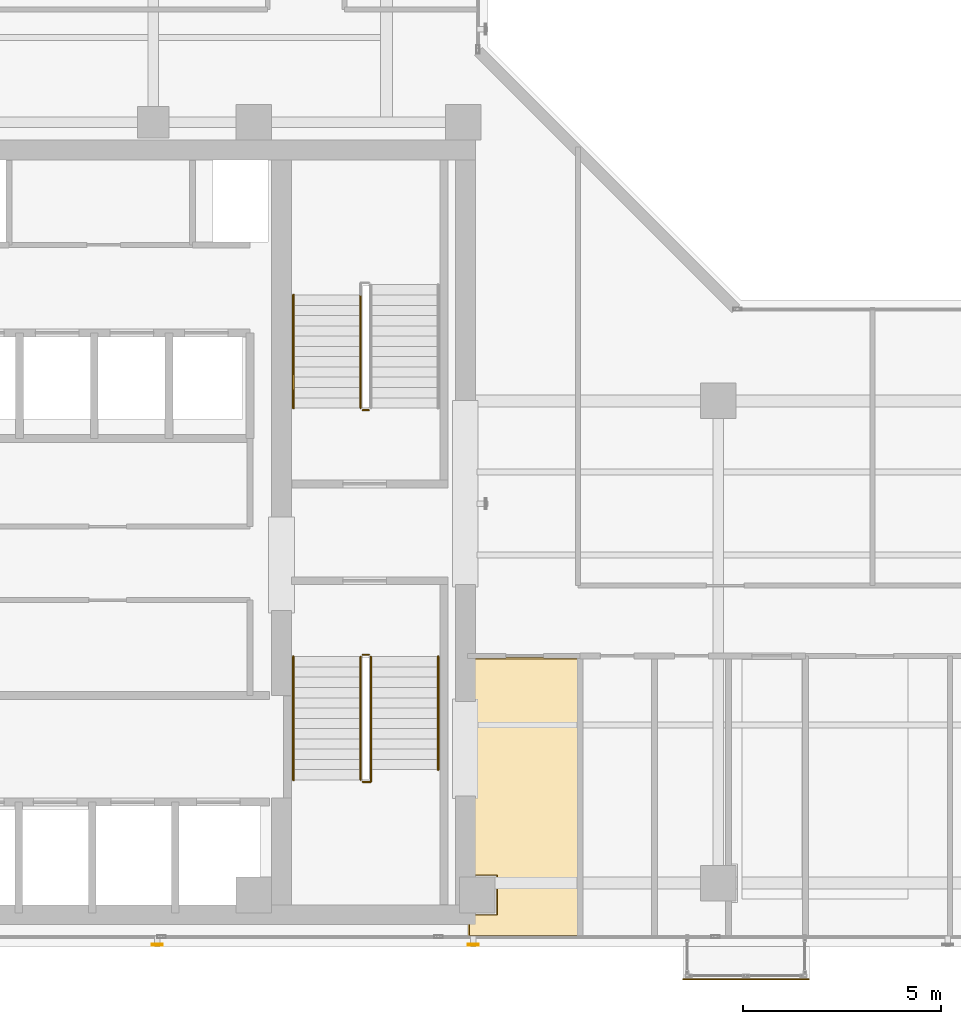
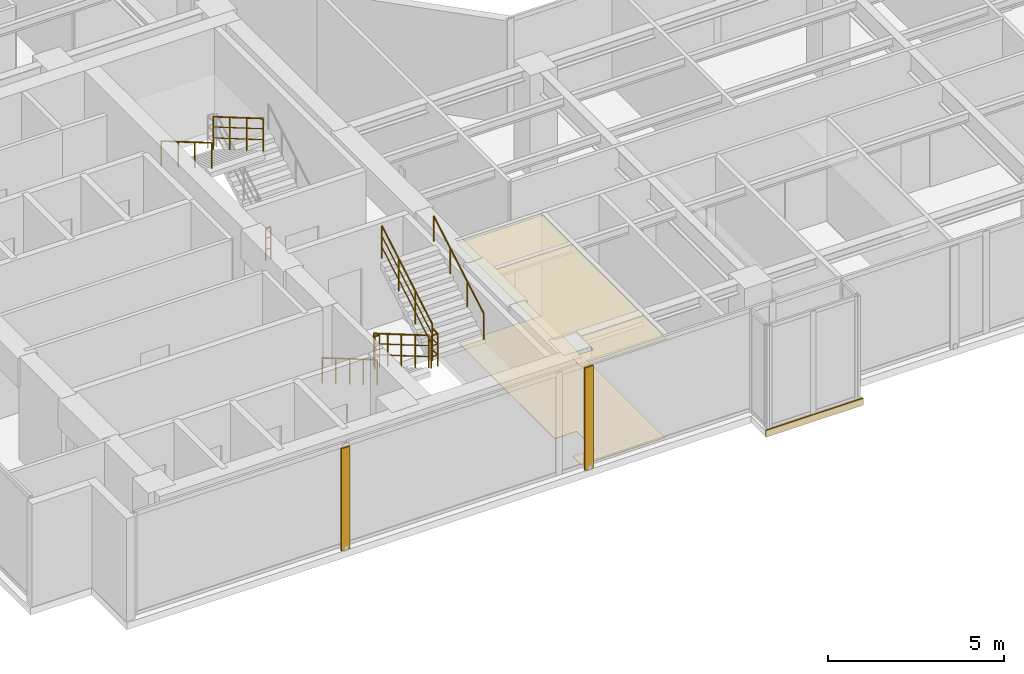
# One storey, part 20 of 22: 9 railings, 3 coverings, 2 shading devices.
"""IFC4 building model written with IfcOpenShell, lengths in metres."""

import ifcopenshell
import ifcopenshell.guid

model = None  # the IFC model being written
_history = None  # IfcOwnerHistory: only IFC2X3 demands one
_inside = {}  # id of a spatial element -> (the spatial element, [elements in it])
_under = {}  # id of a project, library or spatial element -> (it, [spatial elements below it])
_declared = {}  # id of a project -> (the project, [libraries it declares])
_typed = {}  # id of a type object -> (the type object, [elements of that type])
_made_of = {}  # id of a material, layer set ... -> (it, [elements and type objects made of it])


def new_model(schema):
    """Start an empty IFC model of exactly this schema.

    Asked for "IFC4X3", IfcOpenShell would pick the latest addendum, in which some entities
    have other attributes; the version numbers below select the first issue.
    IFC2X3 requires an IfcOwnerHistory on every rooted entity: one is made here for all.
    """
    global model, _history
    if schema == "IFC4X3":
        model = ifcopenshell.file(schema_version=(4, 3, 0, 0))
    else:
        model = ifcopenshell.file(schema=schema)
    _inside.clear()
    _under.clear()
    _declared.clear()
    _typed.clear()
    _made_of.clear()
    _history = None
    if model.schema == "IFC2X3":
        org = make("IfcOrganization", Name="unknown")
        user = make(
            "IfcPersonAndOrganization",
            ThePerson=make("IfcPerson", FamilyName="unknown"),
            TheOrganization=org,
        )
        app = make(
            "IfcApplication",
            ApplicationDeveloper=org,
            Version="unknown",
            ApplicationFullName="unknown",
            ApplicationIdentifier="unknown",
        )
        _history = make(
            "IfcOwnerHistory",
            OwningUser=user,
            OwningApplication=app,
            ChangeAction="ADDED",
            CreationDate=0,
        )
    return model


def make(cls, **values):
    """One entity of the class cls with the attributes given. An attribute that is None is left unset."""
    return model.create_entity(
        cls, **{name: value for name, value in values.items() if value is not None}
    )


def rooted(cls, **values):
    """An entity with a GlobalId (a new one), such as an element, a storey or a relation."""
    return make(cls, GlobalId=ifcopenshell.guid.new(), OwnerHistory=_history, **values)


def si_unit(unit_type, name, prefix=None):
    """IfcSIUnit, for example si_unit("LENGTHUNIT", "METRE", prefix="MILLI")."""
    return make("IfcSIUnit", UnitType=unit_type, Prefix=prefix, Name=name)


def assignment(units):
    """IfcUnitAssignment: the units of a project."""
    return None if units is None else make("IfcUnitAssignment", Units=units)


def point(xyz):
    """IfcCartesianPoint."""
    return None if xyz is None else make("IfcCartesianPoint", Coordinates=xyz)


def direction(xyz):
    """IfcDirection."""
    return None if xyz is None else make("IfcDirection", DirectionRatios=xyz)


def frame(location, z_axis=None, x_axis=None):
    """IfcAxis2Placement3D, a coordinate frame: its origin and axes. An axis left out is left unset."""
    return make(
        "IfcAxis2Placement3D",
        Location=point(location),
        Axis=direction(z_axis),
        RefDirection=direction(x_axis),
    )


def frame_2d(location, x_axis=None):
    """IfcAxis2Placement2D, a coordinate frame in the plane: its origin and x axis."""
    return make(
        "IfcAxis2Placement2D", Location=point(location), RefDirection=direction(x_axis)
    )


def origin():
    """The frame at (0, 0, 0) with its axes left unset."""
    return frame((0.0, 0.0, 0.0))


def origin_2d():
    """The frame at (0, 0) in the plane with its x axis left unset."""
    return frame_2d((0.0, 0.0))


def place(relative_to, where):
    """IfcLocalPlacement: puts the frame where relative to a parent placement (None: the world)."""
    return make(
        "IfcLocalPlacement", PlacementRelTo=relative_to, RelativePlacement=where
    )


def context(
    kind, dimensions, precision=None, world=None, true_north=None, identifier=None
):
    """IfcGeometricRepresentationContext, for example the 3D "Model" context."""
    return make(
        "IfcGeometricRepresentationContext",
        ContextIdentifier=identifier,
        ContextType=kind,
        CoordinateSpaceDimension=dimensions,
        Precision=precision,
        WorldCoordinateSystem=world,
        TrueNorth=true_north,
    )


def subcontext(parent, identifier, kind, view, scale=None):
    """IfcGeometricRepresentationSubContext, for example "Body" below "Model"."""
    return make(
        "IfcGeometricRepresentationSubContext",
        ContextIdentifier=identifier,
        ContextType=kind,
        ParentContext=parent,
        TargetScale=scale,
        TargetView=view,
    )


def project(units=None, contexts=None):
    """IfcProject with its units and contexts."""
    return rooted(
        "IfcProject",
        Name="project",
        RepresentationContexts=contexts,
        UnitsInContext=assignment(units),
    )


def spatial(cls, under=None, at=None, **own):
    """A site, building, storey or space (cls), placed at a placement, below another one or the project."""
    s = rooted(cls, ObjectPlacement=at, **own)
    if under is not None:
        _under.setdefault(under.id(), (under, []))[1].append(s)
    return s


def polyline(points):
    """IfcPolyline through the points."""
    return make("IfcPolyline", Points=[point(p) for p in points])


def profile(cls, at=None, kind="AREA", **sizes):
    """A parametric profile (cls). Its sizes go by their IFC names, for example OverallWidth=200.0."""
    return make(cls, ProfileType=kind, Position=at, **sizes)


def rectangle(**sizes):
    """IfcRectangleProfileDef."""
    return profile("IfcRectangleProfileDef", **sizes)


def hollow_rectangle(**sizes):
    """IfcRectangleHollowProfileDef."""
    return profile("IfcRectangleHollowProfileDef", **sizes)


def circle(**sizes):
    """IfcCircleProfileDef."""
    return profile("IfcCircleProfileDef", **sizes)


def outline(outer, holes=None, kind="AREA"):
    """IfcArbitraryClosedProfileDef: a profile drawn as a closed curve; with holes, ...WithVoids."""
    if holes is None:
        return make("IfcArbitraryClosedProfileDef", ProfileType=kind, OuterCurve=outer)
    return make(
        "IfcArbitraryProfileDefWithVoids",
        ProfileType=kind,
        OuterCurve=outer,
        InnerCurves=holes,
    )


def extrude(swept, where, along, depth):
    """IfcExtrudedAreaSolid: the profile swept, set in the frame where, extruded along a direction by depth."""
    return make(
        "IfcExtrudedAreaSolid",
        SweptArea=swept,
        Position=where,
        ExtrudedDirection=direction(along),
        Depth=depth,
    )


def shape(context_of_items, identifier, shape_type, items):
    """IfcShapeRepresentation: the items that make up one representation, for example the "Body"."""
    return make(
        "IfcShapeRepresentation",
        ContextOfItems=context_of_items,
        RepresentationIdentifier=identifier,
        RepresentationType=shape_type,
        Items=items,
    )


def material(Name=None, Category=None):
    """IfcMaterial."""
    return make("IfcMaterial", Name=Name, Category=Category)


def layer(
    of_material, thickness, ventilated=None, Name=None, Category=None, Priority=None
):
    """IfcMaterialLayer: one layer of a wall or slab, of a material (None: an air gap)."""
    return make(
        "IfcMaterialLayer",
        Material=of_material,
        LayerThickness=thickness,
        IsVentilated=ventilated,
        Name=Name,
        Category=Category,
        Priority=Priority,
    )


def layer_set(layers, Name=None):
    """IfcMaterialLayerSet."""
    return make("IfcMaterialLayerSet", MaterialLayers=layers, LayerSetName=Name)


def material_profile(
    of_material, cross_section, Name=None, Category=None, Priority=None
):
    """IfcMaterialProfile: a cross section and its material."""
    return make(
        "IfcMaterialProfile",
        Name=Name,
        Material=of_material,
        Profile=cross_section,
        Priority=Priority,
        Category=Category,
    )


def profile_set(profiles, Name=None, composite=None):
    """IfcMaterialProfileSet."""
    return make(
        "IfcMaterialProfileSet",
        Name=Name,
        MaterialProfiles=profiles,
        CompositeProfile=composite,
    )


def made_of(thing, what):
    """Note that an element or type object is made of a material, layer set ...; save() writes the relation."""
    if what is not None:
        _made_of.setdefault(what.id(), (what, []))[1].append(thing)
    return thing


def type_object(cls, material=None, **own):
    """A type object (cls), such as IfcWallType, which elements share."""
    return made_of(rooted(cls, **own), material)


def element(
    cls,
    number,
    at=None,
    inside=None,
    cuts=None,
    type_object=None,
    material=None,
    context=None,
    identifier="Body",
    shape_type=None,
    held_by="IfcProductDefinitionShape",
    body=None,
    shapes=None,
    **own,
):
    """One element of the class cls, such as IfcWall. Its Tag is "e" and its number.

    at: its placement. inside: the storey or other place that contains it. cuts: it is an
    opening in that element (IfcRelVoidsElement). A single representation is given by context,
    identifier, shape_type and body (its items); several are given by shapes. held_by: the class
    of the entity that holds the representations. save() writes the other relations.
    """
    e = rooted(cls, Tag="e%d" % number, ObjectPlacement=at, **own)
    if body is not None:
        shapes = [shape(context, identifier, shape_type, body)]
    if shapes is not None:
        e.Representation = make(held_by, Representations=shapes)
    if inside is not None:
        _inside.setdefault(inside.id(), (inside, []))[1].append(e)
    if cuts is not None:
        rooted(
            "IfcRelVoidsElement", RelatingBuildingElement=cuts, RelatedOpeningElement=e
        )
    if type_object is not None:
        _typed.setdefault(type_object.id(), (type_object, []))[1].append(e)
    return made_of(e, material)


def aggregate(whole, parts):
    """IfcRelAggregates: a whole, such as a stair, and the parts it consists of."""
    return rooted("IfcRelAggregates", RelatingObject=whole, RelatedObjects=parts)


def save(model, path):
    """Write the relations noted so far, then the file.

    IfcRelAggregates (storeys below a building ...), IfcRelContainedInSpatialStructure (elements
    in a storey), IfcRelDefinesByType, IfcRelAssociatesMaterial and IfcRelDeclares: one each for
    every whole, place, type object, material and project.
    """
    for whole, parts in _under.values():
        aggregate(whole, parts)
    for where, things in _inside.values():
        rooted(
            "IfcRelContainedInSpatialStructure",
            RelatedElements=things,
            RelatingStructure=where,
        )
    for kind, things in _typed.values():
        rooted("IfcRelDefinesByType", RelatedObjects=things, RelatingType=kind)
    for what, things in _made_of.values():
        rooted("IfcRelAssociatesMaterial", RelatedObjects=things, RelatingMaterial=what)
    for by, libraries in _declared.values():
        rooted("IfcRelDeclares", RelatingContext=by, RelatedDefinitions=libraries)
    model.write(path)


model = new_model("IFC4")

# Units and contexts
model_context = context("Model", 3, precision=1e-05, world=origin(), true_north=direction((0.0, 1.0)))
body_context = subcontext(model_context, "Body", "Model", "MODEL_VIEW")
ifc_project = project(units=[si_unit("LENGTHUNIT", "METRE"), si_unit("AREAUNIT", "SQUARE_METRE"), si_unit("VOLUMEUNIT", "CUBIC_METRE"), si_unit("PLANEANGLEUNIT", "RADIAN"), si_unit("MASSUNIT", "GRAM", prefix="KILO")], contexts=[model_context])

# Site, building, storey
site_placement = place(None, origin())
site = spatial("IfcSite", under=ifc_project, at=site_placement, CompositionType="ELEMENT")
building_placement = place(site_placement, origin())
building = spatial("IfcBuilding", under=site, at=building_placement, Name="Kolvaren Waterfront Exchange", CompositionType="ELEMENT")
storey_placement = place(building_placement, frame((0.0, 0.0, 278.0)))
storey = spatial("IfcBuildingStorey", under=building, at=storey_placement, Name="L71", CompositionType="ELEMENT", Elevation=278.0)

# Coverings
ifc_material_1 = material(Name="Mineral fibre acoustic ceiling tile")
ifc_layer_1 = layer(ifc_material_1, 0.02490234375, Name="Mineral fibre acoustic ceiling tile")
ifc_layer_set_1 = layer_set([ifc_layer_1], Name="Mineral fibre acoustic ceiling tile")
covering_type_1 = type_object("IfcCoveringType", Name="ARC-CEIL-ACOUSTIC-25", PredefinedType="CEILING", material=ifc_layer_set_1)
covering_1_placement = place(storey_placement, frame((0.0, 0.0, 3.445068359375)))
element("IfcCovering", 1, at=covering_1_placement, inside=storey, type_object=covering_type_1, Name="L71 acoustic suspended ceiling 2", PredefinedType="CEILING", context=body_context, shape_type="SweptSolid", body=[
    extrude(outline(polyline([(20.864990234375, 5.389892578125), (21.590087890625, 5.389892578125), (21.590087890625, 4.409912109375), (20.864990234375, 4.409912109375), (20.864990234375, 3.844970703125), (23.675048828125, 3.844970703125), (23.675048828125, 10.905029296875), (20.864990234375, 10.905029296875), (20.864990234375, 5.389892578125)])), origin(), (0.0, 0.0, 1.0), 0.02490234375),
])
ifc_material_2 = material(Name="Anodised bronze fascia aluminium", Category="aluminium")
ifc_layer_2 = layer(ifc_material_2, 0.034912109375, Name="Anodised bronze fascia aluminium")
ifc_layer_set_2 = layer_set([ifc_layer_2], Name="Anodised bronze fascia aluminium")
covering_type_2 = type_object("IfcCoveringType", Name="ARC-CLAD-BRONZE-35", PredefinedType="CLADDING", material=ifc_layer_set_2)
covering_2_placement = place(storey_placement, frame((27.89990234375, 2.77001953125, -0.22021484375), z_axis=(0.0, 0.0, 1.0), x_axis=(1.0, 0.0, 0.0)))
element("IfcCovering", 2, at=covering_2_placement, inside=storey, type_object=covering_type_2, Name="L71 ribbed anodised bronze bay-box fascia", PredefinedType="CLADDING", context=body_context, shape_type="SweptSolid", body=[
    extrude(rectangle(XDim=3.199951171875, YDim=0.034912109375, at=origin_2d()), origin(), (0.0, 0.0, 1.0), 0.239990234375),
])

# Shading devices
ifc_material_3 = material(Name="Anodised bronze aluminium 6063-T6", Category="aluminium")
ifc_material_profile = material_profile(ifc_material_3, hollow_rectangle(XDim=0.054931640625, YDim=0.280029296875, WallThickness=0.00439453125, at=origin_2d()), Name="BRZ-FIN-280x55x4.5")
ifc_profile_set = profile_set([ifc_material_profile], Name="Anodised bronze aluminium 6063-T6")
shading_device_type = type_object("IfcShadingDeviceType", Name="ARC-FIN-280", PredefinedType="USERDEFINED", material=ifc_profile_set)
for number, where, z_axis, x_axis, name in (
    (3, (13.0, 3.639892578125, 0.0), (0.0, 0.0, 1.0), (0.0, -1.0, 0.0), "L71 anodised bronze solar shading fin FIN-L71-S1"),
    (4, (21.0, 3.639892578125, 0.0), (0.0, 0.0, 1.0), (0.0, -1.0, 0.0), "L71 anodised bronze solar shading fin FIN-L71-S2"),
):
    element("IfcShadingDevice", number, at=place(storey_placement, frame(where, z_axis=z_axis, x_axis=x_axis)), inside=storey, type_object=shading_device_type, Name=name, ObjectType="SOLAR FIN", PredefinedType="USERDEFINED", context=body_context, shape_type="SweptSolid", body=[
        extrude(hollow_rectangle(XDim=0.054931640625, YDim=0.280029296875, WallThickness=0.00439453125, at=origin_2d()), origin(), (0.0, 0.0, 1.0), 3.56005859375),
    ])

# Covering
ifc_material_4 = material(Name="Slip-resistant porcelain tile")
ifc_layer_3 = layer(ifc_material_4, 0.014892578125, Name="Slip-resistant porcelain tile")
ifc_layer_set_3 = layer_set([ifc_layer_3], Name="Slip-resistant porcelain tile")
covering_type_3 = type_object("IfcCoveringType", Name="ARC-FLR-PORC-15", PredefinedType="FLOORING", material=ifc_layer_set_3)
covering_3_placement = place(storey_placement, origin())
element("IfcCovering", 5, at=covering_3_placement, inside=storey, type_object=covering_type_3, Name="L71 floor finish 2", PredefinedType="FLOORING", context=body_context, shape_type="SweptSolid", body=[
    extrude(outline(polyline([(20.89990234375, 4.389892578125), (20.89990234375, 3.8798828125), (23.639892578125, 3.8798828125), (23.639892578125, 10.8701171875), (20.89990234375, 10.8701171875), (20.89990234375, 5.409912109375), (21.610107421875, 5.409912109375), (21.610107421875, 4.389892578125), (20.89990234375, 4.389892578125)])), origin(), (0.0, 0.0, 1.0), 0.014892578125),
])

# Railings
ifc_material_5 = material(Name="Stainless steel 316", Category="steel")
railing_type_1 = type_object("IfcRailingType", Name="ARC-GUARD-STAIR", PredefinedType="GUARDRAIL", material=ifc_material_5)
railing_1_placement = place(storey_placement, frame((18.14990234375, 10.929931640625, 0.152099609375)))
element("IfcRailing", 6, at=railing_1_placement, inside=storey, type_object=railing_type_1, Name="L71 ST1 stair guard 1", PredefinedType="GUARDRAIL", context=body_context, shape_type="SweptSolid", body=[
    extrude(circle(Radius=0.02392578125, at=origin_2d()), frame((0.0, 0.0, 1.1259765625), z_axis=(0.0, -0.86329090724, 0.504706656858), x_axis=(1.0, 0.0, 0.0)), (0.0, 0.0, 1.0), 3.614013671875),
    extrude(circle(Radius=0.01611328125, at=origin_2d()), frame((0.0, 0.0, 0.390869140625), z_axis=(0.0, -0.86329090724, 0.504706656858), x_axis=(1.0, 0.0, 0.0)), (0.0, 0.0, 1.0), 3.614013671875),
    extrude(circle(Radius=0.01611328125, at=origin_2d()), frame((0.0, 0.0, 0.7705078125), z_axis=(0.0, -0.86329090724, 0.504706656858), x_axis=(1.0, 0.0, 0.0)), (0.0, 0.0, 1.0), 3.614013671875),
    extrude(circle(Radius=0.02099609375, at=origin_2d()), origin(), (0.0, 0.0, 1.0), 1.101806640625),
    extrude(circle(Radius=0.02099609375, at=origin_2d()), frame((0.0, -0.780029296875, 0.4560546875)), (0.0, 0.0, 1.0), 1.101806640625),
    extrude(circle(Radius=0.02099609375, at=origin_2d()), frame((0.0, -1.56005859375, 0.912109375)), (0.0, 0.0, 1.0), 1.101806640625),
    extrude(circle(Radius=0.02099609375, at=origin_2d()), frame((0.0, -2.33984375, 1.367919921875)), (0.0, 0.0, 1.0), 1.101806640625),
    extrude(circle(Radius=0.02099609375, at=origin_2d()), frame((0.0, -3.119873046875, 1.823974609375)), (0.0, 0.0, 1.0), 1.101806640625),
])
railing_2_placement = place(storey_placement, frame((18.199951171875, 7.760009765625, 1.97607421875)))
element("IfcRailing", 7, at=railing_2_placement, inside=storey, type_object=railing_type_1, Name="L71 ST1 stair guard 2", PredefinedType="GUARDRAIL", context=body_context, shape_type="SweptSolid", body=[
    extrude(circle(Radius=0.02392578125, at=origin_2d()), frame((0.0, 0.0, 1.1259765625), z_axis=(1.0, 0.0, 0.0), x_axis=(0.0, 1.0, 0.0)), (0.0, 0.0, 1.0), 0.2099609375),
    extrude(circle(Radius=0.01611328125, at=origin_2d()), frame((0.0, 0.0, 0.390869140625), z_axis=(1.0, 0.0, 0.0), x_axis=(0.0, 1.0, 0.0)), (0.0, 0.0, 1.0), 0.2099609375),
    extrude(circle(Radius=0.01611328125, at=origin_2d()), frame((0.0, 0.0, 0.7705078125), z_axis=(1.0, 0.0, 0.0), x_axis=(0.0, 1.0, 0.0)), (0.0, 0.0, 1.0), 0.2099609375),
    extrude(circle(Radius=0.02392578125, at=origin_2d()), frame((0.2099609375, 0.0, 1.1259765625), z_axis=(0.0, 1.0, 0.0), x_axis=(-1.0, 0.0, 0.0)), (0.0, 0.0, 1.0), 0.31005859375),
    extrude(circle(Radius=0.01611328125, at=origin_2d()), frame((0.2099609375, 0.0, 0.390869140625), z_axis=(0.0, 1.0, 0.0), x_axis=(-1.0, 0.0, 0.0)), (0.0, 0.0, 1.0), 0.31005859375),
    extrude(circle(Radius=0.01611328125, at=origin_2d()), frame((0.2099609375, 0.0, 0.7705078125), z_axis=(0.0, 1.0, 0.0), x_axis=(-1.0, 0.0, 0.0)), (0.0, 0.0, 1.0), 0.31005859375),
    extrude(circle(Radius=0.02099609375, at=origin_2d()), origin(), (0.0, 0.0, 1.0), 1.101806640625),
    extrude(circle(Radius=0.02099609375, at=origin_2d()), frame((0.2099609375, 0.0, 0.0)), (0.0, 0.0, 1.0), 1.101806640625),
    extrude(circle(Radius=0.02099609375, at=origin_2d()), frame((0.2099609375, 0.31005859375, 0.0)), (0.0, 0.0, 1.0), 1.101806640625),
])
railing_3_placement = place(storey_placement, frame((18.409912109375, 8.070068359375, 2.1279296875)))
element("IfcRailing", 8, at=railing_3_placement, inside=storey, type_object=railing_type_1, Name="L71 ST1 stair guard 3", PredefinedType="GUARDRAIL", context=body_context, shape_type="SweptSolid", body=[
    extrude(circle(Radius=0.02392578125, at=origin_2d()), frame((0.0, 0.0, 1.1259765625), z_axis=(0.0, 0.863270611444, 0.50474137082), x_axis=(-1.0, 0.0, 0.0)), (0.0, 0.0, 1.0), 3.312744140625),
    extrude(circle(Radius=0.01611328125, at=origin_2d()), frame((0.0, 0.0, 0.390869140625), z_axis=(0.0, 0.863270611444, 0.50474137082), x_axis=(-1.0, 0.0, 0.0)), (0.0, 0.0, 1.0), 3.312744140625),
    extrude(circle(Radius=0.01611328125, at=origin_2d()), frame((0.0, 0.0, 0.7705078125), z_axis=(0.0, 0.863270611444, 0.50474137082), x_axis=(-1.0, 0.0, 0.0)), (0.0, 0.0, 1.0), 3.312744140625),
    extrude(circle(Radius=0.02099609375, at=origin_2d()), origin(), (0.0, 0.0, 1.0), 1.101806640625),
    extrude(circle(Radius=0.02099609375, at=origin_2d()), frame((0.0, 0.953369140625, 0.557373046875)), (0.0, 0.0, 1.0), 1.101806640625),
    extrude(circle(Radius=0.02099609375, at=origin_2d()), frame((0.0, 1.906494140625, 1.11474609375)), (0.0, 0.0, 1.0), 1.101806640625),
    extrude(circle(Radius=0.02099609375, at=origin_2d()), frame((0.0, 2.85986328125, 1.672119140625)), (0.0, 0.0, 1.0), 1.101806640625),
])
railing_4_placement = place(storey_placement, frame((18.199951171875, 10.97998046875, 0.0)))
element("IfcRailing", 9, at=railing_4_placement, inside=storey, type_object=railing_type_1, Name="L71 ST1 stair guard 4", PredefinedType="GUARDRAIL", context=body_context, shape_type="SweptSolid", body=[
    extrude(circle(Radius=0.02392578125, at=origin_2d()), frame((0.0, 0.0, 1.1259765625), z_axis=(1.0, 0.0, 0.0), x_axis=(0.0, 1.0, 0.0)), (0.0, 0.0, 1.0), 0.16015625),
    extrude(circle(Radius=0.01611328125, at=origin_2d()), frame((0.0, 0.0, 0.390869140625), z_axis=(1.0, 0.0, 0.0), x_axis=(0.0, 1.0, 0.0)), (0.0, 0.0, 1.0), 0.16015625),
    extrude(circle(Radius=0.01611328125, at=origin_2d()), frame((0.0, 0.0, 0.7705078125), z_axis=(1.0, 0.0, 0.0), x_axis=(0.0, 1.0, 0.0)), (0.0, 0.0, 1.0), 0.16015625),
    extrude(circle(Radius=0.02099609375, at=origin_2d()), origin(), (0.0, 0.0, 1.0), 1.101806640625),
    extrude(circle(Radius=0.02099609375, at=origin_2d()), frame((0.16015625, 0.0, 0.0)), (0.0, 0.0, 1.0), 1.101806640625),
])
railing_5_placement = place(storey_placement, frame((18.14990234375, 20.080078125, 2.1279296875)))
element("IfcRailing", 10, at=railing_5_placement, inside=storey, type_object=railing_type_1, Name="L71 ST2 stair guard 3", PredefinedType="GUARDRAIL", context=body_context, shape_type="SweptSolid", body=[
    extrude(circle(Radius=0.02392578125, at=origin_2d()), frame((0.0, 0.0, 1.1259765625), z_axis=(0.0, -0.863289384635, 0.504709261235), x_axis=(1.0, 0.0, 0.0)), (0.0, 0.0, 1.0), 3.31298828125),
    extrude(circle(Radius=0.01611328125, at=origin_2d()), frame((0.0, 0.0, 0.390869140625), z_axis=(0.0, -0.863289384635, 0.504709261235), x_axis=(1.0, 0.0, 0.0)), (0.0, 0.0, 1.0), 3.31298828125),
    extrude(circle(Radius=0.01611328125, at=origin_2d()), frame((0.0, 0.0, 0.7705078125), z_axis=(0.0, -0.863289384635, 0.504709261235), x_axis=(1.0, 0.0, 0.0)), (0.0, 0.0, 1.0), 3.31298828125),
    extrude(circle(Radius=0.02099609375, at=origin_2d()), origin(), (0.0, 0.0, 1.0), 1.101806640625),
    extrude(circle(Radius=0.02099609375, at=origin_2d()), frame((0.0, -0.953369140625, 0.557373046875)), (0.0, 0.0, 1.0), 1.101806640625),
    extrude(circle(Radius=0.02099609375, at=origin_2d()), frame((0.0, -1.90673828125, 1.11474609375)), (0.0, 0.0, 1.0), 1.101806640625),
    extrude(circle(Radius=0.02099609375, at=origin_2d()), frame((0.0, -2.860107421875, 1.672119140625)), (0.0, 0.0, 1.0), 1.101806640625),
])
railing_6_placement = place(storey_placement, frame((18.360107421875, 17.169921875, 0.0)))
element("IfcRailing", 11, at=railing_6_placement, inside=storey, type_object=railing_type_1, Name="L71 ST2 stair guard 4", PredefinedType="GUARDRAIL", context=body_context, shape_type="SweptSolid", body=[
    extrude(circle(Radius=0.02392578125, at=origin_2d()), frame((0.0, 0.0, 1.1259765625), z_axis=(-1.0, 0.0, 0.0), x_axis=(0.0, -1.0, 0.0)), (0.0, 0.0, 1.0), 0.16015625),
    extrude(circle(Radius=0.01611328125, at=origin_2d()), frame((0.0, 0.0, 0.390869140625), z_axis=(-1.0, 0.0, 0.0), x_axis=(0.0, -1.0, 0.0)), (0.0, 0.0, 1.0), 0.16015625),
    extrude(circle(Radius=0.01611328125, at=origin_2d()), frame((0.0, 0.0, 0.7705078125), z_axis=(-1.0, 0.0, 0.0), x_axis=(0.0, -1.0, 0.0)), (0.0, 0.0, 1.0), 0.16015625),
    extrude(circle(Radius=0.02099609375, at=origin_2d()), origin(), (0.0, 0.0, 1.0), 1.101806640625),
    extrude(circle(Radius=0.02099609375, at=origin_2d()), frame((-0.16015625, 0.0, 0.0)), (0.0, 0.0, 1.0), 1.101806640625),
])
railing_type_2 = type_object("IfcRailingType", Name="ARC-HANDRAIL-900", PredefinedType="HANDRAIL", material=ifc_material_5)
railing_7_placement = place(storey_placement, frame((16.449951171875, 10.929931640625, 0.152099609375)))
element("IfcRailing", 12, at=railing_7_placement, inside=storey, type_object=railing_type_2, Name="L71 ST1 stair handrail 1", PredefinedType="HANDRAIL", context=body_context, shape_type="SweptSolid", body=[
    extrude(circle(Radius=0.02392578125, at=origin_2d()), frame((0.0, 0.0, 0.8759765625), z_axis=(0.0, -0.86329090724, 0.504706656858), x_axis=(1.0, 0.0, 0.0)), (0.0, 0.0, 1.0), 3.614013671875),
    extrude(circle(Radius=0.02099609375, at=origin_2d()), origin(), (0.0, 0.0, 1.0), 0.851806640625),
    extrude(circle(Radius=0.02099609375, at=origin_2d()), frame((0.0, -0.780029296875, 0.4560546875)), (0.0, 0.0, 1.0), 0.851806640625),
    extrude(circle(Radius=0.02099609375, at=origin_2d()), frame((0.0, -1.56005859375, 0.912109375)), (0.0, 0.0, 1.0), 0.851806640625),
    extrude(circle(Radius=0.02099609375, at=origin_2d()), frame((0.0, -2.33984375, 1.367919921875)), (0.0, 0.0, 1.0), 0.851806640625),
    extrude(circle(Radius=0.02099609375, at=origin_2d()), frame((0.0, -3.119873046875, 1.823974609375)), (0.0, 0.0, 1.0), 0.851806640625),
])
railing_8_placement = place(storey_placement, frame((20.110107421875, 8.070068359375, 2.1279296875)))
element("IfcRailing", 13, at=railing_8_placement, inside=storey, type_object=railing_type_2, Name="L71 ST1 stair handrail 2", PredefinedType="HANDRAIL", context=body_context, shape_type="SweptSolid", body=[
    extrude(circle(Radius=0.02392578125, at=origin_2d()), frame((0.0, 0.0, 0.8759765625), z_axis=(0.0, 0.863270611444, 0.50474137082), x_axis=(-1.0, 0.0, 0.0)), (0.0, 0.0, 1.0), 3.312744140625),
    extrude(circle(Radius=0.02099609375, at=origin_2d()), origin(), (0.0, 0.0, 1.0), 0.851806640625),
    extrude(circle(Radius=0.02099609375, at=origin_2d()), frame((0.0, 0.953369140625, 0.557373046875)), (0.0, 0.0, 1.0), 0.851806640625),
    extrude(circle(Radius=0.02099609375, at=origin_2d()), frame((0.0, 1.906494140625, 1.11474609375)), (0.0, 0.0, 1.0), 0.851806640625),
    extrude(circle(Radius=0.02099609375, at=origin_2d()), frame((0.0, 2.85986328125, 1.672119140625)), (0.0, 0.0, 1.0), 0.851806640625),
])
railing_9_placement = place(storey_placement, frame((16.449951171875, 20.080078125, 2.1279296875)))
element("IfcRailing", 14, at=railing_9_placement, inside=storey, type_object=railing_type_2, Name="L71 ST2 stair handrail 2", PredefinedType="HANDRAIL", context=body_context, shape_type="SweptSolid", body=[
    extrude(circle(Radius=0.02392578125, at=origin_2d()), frame((0.0, 0.0, 0.8759765625), z_axis=(0.0, -0.863289384635, 0.504709261235), x_axis=(1.0, 0.0, 0.0)), (0.0, 0.0, 1.0), 3.31298828125),
    extrude(circle(Radius=0.02099609375, at=origin_2d()), origin(), (0.0, 0.0, 1.0), 0.851806640625),
    extrude(circle(Radius=0.02099609375, at=origin_2d()), frame((0.0, -0.953369140625, 0.557373046875)), (0.0, 0.0, 1.0), 0.851806640625),
    extrude(circle(Radius=0.02099609375, at=origin_2d()), frame((0.0, -1.90673828125, 1.11474609375)), (0.0, 0.0, 1.0), 0.851806640625),
    extrude(circle(Radius=0.02099609375, at=origin_2d()), frame((0.0, -2.860107421875, 1.672119140625)), (0.0, 0.0, 1.0), 0.851806640625),
])

save(model, "model.ifc")
